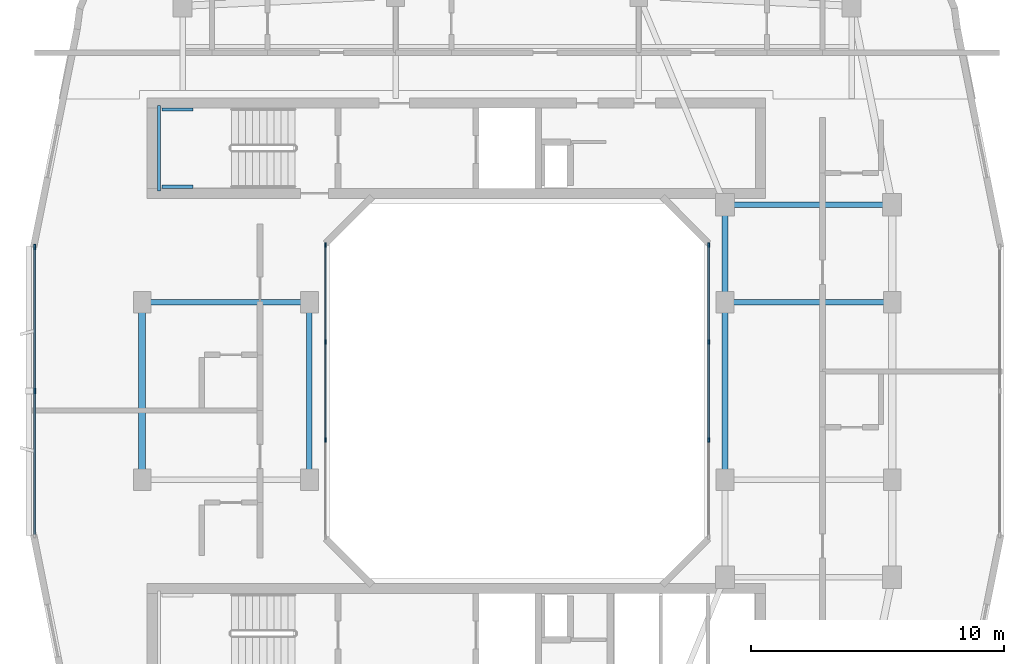
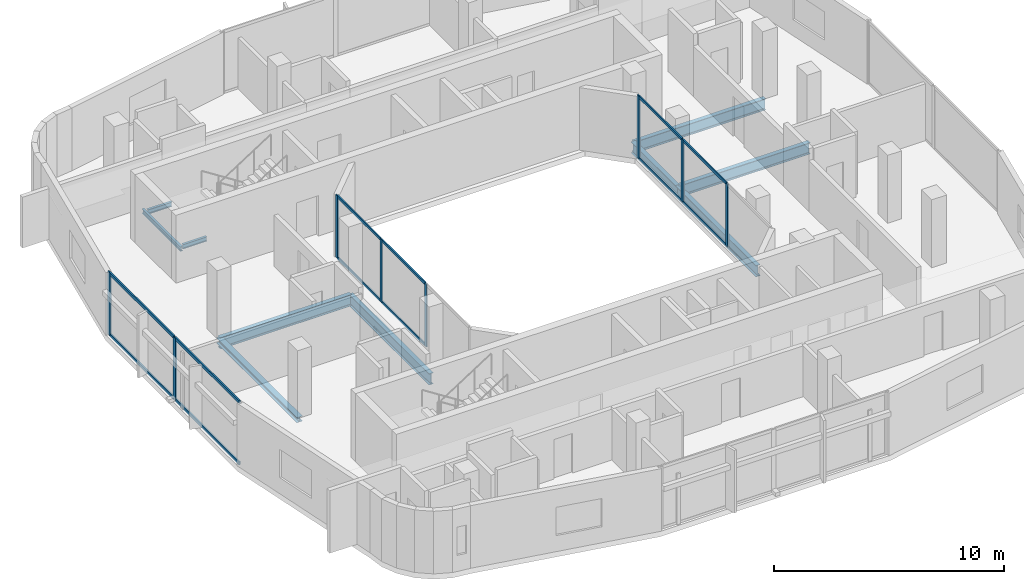
# One storey, part 3 of 14: 20 members, 10 beams, 3 elements without a shape of their own.
"""IFC4 building model written with IfcOpenShell, lengths in metres."""

from ifc_helpers import new_model, si_unit, derived_unit, direction, frame, origin, origin_2d, place, context, subcontext, project, spatial, rectangle, i_section, extrude, material, layer, layer_set, material_profile, profile_set, type_object, element, aggregate, save


model = new_model("IFC4")

# Units and contexts
model_context = context("Model", 3, precision=1e-05, world=origin(), true_north=direction((0.0, 1.0)))
body_context = subcontext(model_context, "Body", "Model", "MODEL_VIEW")
ifc_project = project(units=[si_unit("LENGTHUNIT", "METRE"), si_unit("AREAUNIT", "SQUARE_METRE"), si_unit("VOLUMEUNIT", "CUBIC_METRE"), si_unit("PLANEANGLEUNIT", "RADIAN"), si_unit("MASSUNIT", "GRAM", prefix="KILO"), derived_unit("THERMALTRANSMITTANCEUNIT", [(si_unit("POWERUNIT", "WATT"), 1), (si_unit("LENGTHUNIT", "METRE"), -2), (si_unit("THERMODYNAMICTEMPERATUREUNIT", "KELVIN"), -1)])], contexts=[model_context])

# Site, building, storey
site_placement = place(None, origin())
site = spatial("IfcSite", under=ifc_project, at=site_placement, CompositionType="ELEMENT")
building_placement = place(site_placement, origin())
building = spatial("IfcBuilding", under=site, at=building_placement, Name="Kivonza Crest Hotel", CompositionType="ELEMENT")
storey_placement = place(building_placement, frame((0.0, 0.0, 217.10009765625)))
storey = spatial("IfcBuildingStorey", under=building, at=storey_placement, Name="L59", CompositionType="ELEMENT", Elevation=217.10009765625)

# Beams
ifc_material_1 = material(Name="Steel S355", Category="steel")
ifc_material_profile_1 = material_profile(ifc_material_1, i_section(OverallWidth=0.280029296875, OverallDepth=0.280029296875, WebThickness=0.010498046875, FlangeThickness=0.01806640625, FilletRadius=0.02392578125, at=origin_2d()), Name="HEB 280")
ifc_profile_set_1 = profile_set([ifc_material_profile_1], Name="Steel S355")
beam_type_1 = type_object("IfcBeamType", Name="BM-HEB280", PredefinedType="SPANDREL", material=ifc_profile_set_1)
beam_1_placement = place(storey_placement, frame((6.199951171875, 28.5, -0.420166015625), z_axis=(0.0, -1.0, 0.0), x_axis=(1.0, 0.0, 0.0)))
element("IfcBeam", 1, at=beam_1_placement, inside=storey, type_object=beam_type_1, Name="Tower T1 L59 perimeter spandrel W2-W1", PredefinedType="SPANDREL", context=body_context, shape_type="SweptSolid", body=[
    extrude(i_section(OverallWidth=0.280029296875, OverallDepth=0.280029296875, WebThickness=0.010498046875, FlangeThickness=0.01806640625, FilletRadius=0.02392578125, at=origin_2d()), origin(), (0.0, 0.0, 1.0), 7.0),
])
ifc_material_profile_2 = material_profile(ifc_material_1, i_section(OverallWidth=0.219970703125, OverallDepth=0.60009765625, WebThickness=0.011962890625, FlangeThickness=0.01904296875, FilletRadius=0.02392578125, at=origin_2d()), Name="IPE 600")
ifc_profile_set_2 = profile_set([ifc_material_profile_2], Name="Steel S355")
beam_type_2 = type_object("IfcBeamType", Name="BM-IPE600", PredefinedType="BEAM", material=ifc_profile_set_2)
beam_2_placement = place(storey_placement, frame((6.199951171875, 28.5, -0.580078125), z_axis=(1.0, 0.0, 0.0), x_axis=(0.0, 1.0, 0.0)))
element("IfcBeam", 2, at=beam_2_placement, inside=storey, type_object=beam_type_2, Name="Tower T1 L59 primary girder W2-WL2", PredefinedType="BEAM", context=body_context, shape_type="SweptSolid", body=[
    extrude(i_section(OverallWidth=0.219970703125, OverallDepth=0.60009765625, WebThickness=0.011962890625, FlangeThickness=0.01904296875, FilletRadius=0.02392578125, at=origin_2d()), origin(), (0.0, 0.0, 1.0), 6.60009765625),
])
beam_3_placement = place(storey_placement, frame((12.800048828125, 21.5, -0.580078125), z_axis=(0.0, 1.0, 0.0), x_axis=(-1.0, 0.0, 0.0)))
element("IfcBeam", 3, at=beam_3_placement, inside=storey, type_object=beam_type_2, Name="Tower T1 L59 primary girder WL1-WL2", PredefinedType="BEAM", context=body_context, shape_type="SweptSolid", body=[
    extrude(i_section(OverallWidth=0.219970703125, OverallDepth=0.60009765625, WebThickness=0.011962890625, FlangeThickness=0.01904296875, FilletRadius=0.02392578125, at=origin_2d()), origin(), (0.0, 0.0, 1.0), 7.0),
])
beam_4_placement = place(storey_placement, frame((29.199951171875, 32.35009765625, -0.580078125), z_axis=(1.0, 0.0, 0.0), x_axis=(0.0, 1.0, 0.0)))
element("IfcBeam", 4, at=beam_4_placement, inside=storey, type_object=beam_type_2, Name="Tower T1 L59 primary girder TNE-PNE", PredefinedType="BEAM", context=body_context, shape_type="SweptSolid", body=[
    extrude(i_section(OverallWidth=0.219970703125, OverallDepth=0.60009765625, WebThickness=0.011962890625, FlangeThickness=0.01904296875, FilletRadius=0.02392578125, at=origin_2d()), origin(), (0.0, 0.0, 1.0), 6.60009765625),
])
beam_5_placement = place(storey_placement, frame((29.199951171875, 21.5, -0.580078125), z_axis=(0.0, 1.0, 0.0), x_axis=(-1.0, 0.0, 0.0)))
element("IfcBeam", 5, at=beam_5_placement, inside=storey, type_object=beam_type_2, Name="Tower T1 L59 primary girder WR1-WR2", PredefinedType="BEAM", context=body_context, shape_type="SweptSolid", body=[
    extrude(i_section(OverallWidth=0.219970703125, OverallDepth=0.60009765625, WebThickness=0.011962890625, FlangeThickness=0.01904296875, FilletRadius=0.02392578125, at=origin_2d()), origin(), (0.0, 0.0, 1.0), 7.0),
])
beam_6_placement = place(storey_placement, frame((29.199951171875, 28.5, -0.580078125), z_axis=(0.0, 1.0, 0.0), x_axis=(-1.0, 0.0, 0.0)))
element("IfcBeam", 6, at=beam_6_placement, inside=storey, type_object=beam_type_2, Name="Tower T1 L59 primary girder WR2-TNE", PredefinedType="BEAM", context=body_context, shape_type="SweptSolid", body=[
    extrude(i_section(OverallWidth=0.219970703125, OverallDepth=0.60009765625, WebThickness=0.011962890625, FlangeThickness=0.01904296875, FilletRadius=0.02392578125, at=origin_2d()), origin(), (0.0, 0.0, 1.0), 3.85009765625),
])
beam_7_placement = place(storey_placement, frame((29.199951171875, 28.5, -0.580078125), z_axis=(1.0, 0.0, 0.0), x_axis=(0.0, 1.0, 0.0)))
element("IfcBeam", 7, at=beam_7_placement, inside=storey, type_object=beam_type_2, Name="Tower T1 L59 primary girder WR2-E2", PredefinedType="BEAM", context=body_context, shape_type="SweptSolid", body=[
    extrude(i_section(OverallWidth=0.219970703125, OverallDepth=0.60009765625, WebThickness=0.011962890625, FlangeThickness=0.01904296875, FilletRadius=0.02392578125, at=origin_2d()), origin(), (0.0, 0.0, 1.0), 6.60009765625),
])
ifc_material_profile_3 = material_profile(ifc_material_1, i_section(OverallWidth=0.1201171875, OverallDepth=0.239990234375, WebThickness=0.006103515625, FlangeThickness=0.009765625, FilletRadius=0.014892578125, at=origin_2d()), Name="IPE 240")
ifc_profile_set_3 = profile_set([ifc_material_profile_3], Name="Steel S355")
beam_type_3 = type_object("IfcBeamType", Name="BM-LLDG-240", PredefinedType="BEAM", material=ifc_profile_set_3)
beam_8_placement = place(storey_placement, frame((6.860107421875, 32.89990234375, 1.47998046875), z_axis=(0.0, 1.0, 0.0), x_axis=(-1.0, 0.0, 0.0)))
element("IfcBeam", 8, at=beam_8_placement, inside=storey, type_object=beam_type_3, Name="Stair ST-T1-N L59 West landing corbel", PredefinedType="BEAM", context=body_context, shape_type="SweptSolid", body=[
    extrude(i_section(OverallWidth=0.1201171875, OverallDepth=0.239990234375, WebThickness=0.006103515625, FlangeThickness=0.009765625, FilletRadius=0.014892578125, at=origin_2d()), origin(), (0.0, 0.0, 1.0), 3.360107421875),
])
for number, where, z_axis, x_axis, name in (
    (9, (6.989990234375, 33.06005859375, 1.47998046875), (1.0, 0.0, 0.0), (0.0, 1.0, 0.0), "Stair ST-T1-N L59 South landing corbel"),
    (10, (6.989990234375, 36.10009765625, 1.47998046875), (1.0, 0.0, 0.0), (0.0, 1.0, 0.0), "Stair ST-T1-N L59 North landing corbel"),
):
    element("IfcBeam", number, at=place(storey_placement, frame(where, z_axis=z_axis, x_axis=x_axis)), inside=storey, type_object=beam_type_3, Name=name, PredefinedType="BEAM", context=body_context, shape_type="SweptSolid", body=[
        extrude(i_section(OverallWidth=0.1201171875, OverallDepth=0.239990234375, WebThickness=0.006103515625, FlangeThickness=0.009765625, FilletRadius=0.014892578125, at=origin_2d()), origin(), (0.0, 0.0, 1.0), 1.2099609375),
    ])

# Curtain wall, members
ifc_material_2 = material(Name="Anodised bronze aluminium and low-E double glazing", Category="aluminium")
ifc_layer_1 = layer(ifc_material_2, 0.159912109375)
ifc_layer_set_1 = layer_set([ifc_layer_1], Name="Anodised bronze aluminium and low-E double glazing")
curtain_wall_type_1 = type_object("IfcCurtainWallType", Name="CW-SYS-5", PredefinedType="NOTDEFINED", material=ifc_layer_set_1)
curtain_wall_1_placement = place(storey_placement, origin())
curtain_wall_1 = element("IfcCurtainWall", 11, at=curtain_wall_1_placement, inside=storey, type_object=curtain_wall_type_1, Name="L59 unitised curtain wall CW-WELL-T1-L59-3", PredefinedType="NOTDEFINED")
ifc_material_3 = material(Name="Anodised bronze aluminium", Category="aluminium")
ifc_material_profile_4 = material_profile(ifc_material_3, rectangle(XDim=0.06494140625, YDim=0.179931640625, at=origin_2d()), Name="CW-M 65x180")
ifc_profile_set_4 = profile_set([ifc_material_profile_4], Name="Anodised bronze aluminium")
member_type_1 = type_object("IfcMemberType", Name="CW-MUL-65x180", PredefinedType="MULLION", material=ifc_profile_set_4)
member_1_placement = place(storey_placement, frame((28.56005859375, 23.066650390625, 0.0), z_axis=(0.0, 0.0, 1.0), x_axis=(-1.0, 0.0, 0.0)))
member_1 = element("IfcMember", 12, at=member_1_placement, type_object=member_type_1, Name="CW-5 mullion 2", PredefinedType="MULLION", context=body_context, shape_type="SweptSolid", body=[
    extrude(rectangle(XDim=0.06494140625, YDim=0.179931640625, at=origin_2d()), origin(), (0.0, 0.0, 1.0), 3.31982421875),
])
member_2_placement = place(storey_placement, frame((28.56005859375, 26.933349609375, 0.0), z_axis=(0.0, 0.0, 1.0), x_axis=(-1.0, 0.0, 0.0)))
member_2 = element("IfcMember", 13, at=member_2_placement, type_object=member_type_1, Name="CW-5 mullion 3", PredefinedType="MULLION", context=body_context, shape_type="SweptSolid", body=[
    extrude(rectangle(XDim=0.06494140625, YDim=0.179931640625, at=origin_2d()), origin(), (0.0, 0.0, 1.0), 3.31982421875),
])
member_3_placement = place(storey_placement, frame((28.56005859375, 30.767578125, 0.0), z_axis=(0.0, 0.0, 1.0), x_axis=(-1.0, 0.0, 0.0)))
member_3 = element("IfcMember", 14, at=member_3_placement, type_object=member_type_1, Name="CW-5 mullion 4", PredefinedType="MULLION", context=body_context, shape_type="SweptSolid", body=[
    extrude(rectangle(XDim=0.06494140625, YDim=0.179931640625, at=origin_2d()), origin(), (0.0, 0.0, 1.0), 3.31982421875),
])

curtain_wall_2_placement = place(storey_placement, origin())
curtain_wall_2 = element("IfcCurtainWall", 15, at=curtain_wall_2_placement, inside=storey, type_object=curtain_wall_type_1, Name="L59 unitised curtain wall CW-WELL-T1-L59-7", PredefinedType="NOTDEFINED")
member_4_placement = place(storey_placement, frame((13.43994140625, 30.767578125, 0.0), z_axis=(0.0, 0.0, 1.0), x_axis=(1.0, 0.0, 0.0)))
member_4 = element("IfcMember", 16, at=member_4_placement, type_object=member_type_1, Name="CW-5 mullion 1", PredefinedType="MULLION", context=body_context, shape_type="SweptSolid", body=[
    extrude(rectangle(XDim=0.06494140625, YDim=0.179931640625, at=origin_2d()), origin(), (0.0, 0.0, 1.0), 3.31982421875),
])
member_5_placement = place(storey_placement, frame((13.43994140625, 26.933349609375, 0.0), z_axis=(0.0, 0.0, 1.0), x_axis=(1.0, 0.0, 0.0)))
member_5 = element("IfcMember", 17, at=member_5_placement, type_object=member_type_1, Name="CW-5 mullion 2", PredefinedType="MULLION", context=body_context, shape_type="SweptSolid", body=[
    extrude(rectangle(XDim=0.06494140625, YDim=0.179931640625, at=origin_2d()), origin(), (0.0, 0.0, 1.0), 3.31982421875),
])
member_6_placement = place(storey_placement, frame((13.43994140625, 23.066650390625, 0.0), z_axis=(0.0, 0.0, 1.0), x_axis=(1.0, 0.0, 0.0)))
member_6 = element("IfcMember", 18, at=member_6_placement, type_object=member_type_1, Name="CW-5 mullion 3", PredefinedType="MULLION", context=body_context, shape_type="SweptSolid", body=[
    extrude(rectangle(XDim=0.06494140625, YDim=0.179931640625, at=origin_2d()), origin(), (0.0, 0.0, 1.0), 3.31982421875),
])

ifc_layer_2 = layer(ifc_material_2, 0.179931640625)
ifc_layer_set_2 = layer_set([ifc_layer_2], Name="Anodised bronze aluminium and low-E double glazing")
curtain_wall_type_2 = type_object("IfcCurtainWallType", Name="CW-SYS-3", PredefinedType="NOTDEFINED", material=ifc_layer_set_2)
curtain_wall_3_placement = place(storey_placement, origin())
curtain_wall_3 = element("IfcCurtainWall", 19, at=curtain_wall_3_placement, inside=storey, type_object=curtain_wall_type_2, Name="L59 unitised curtain wall CW-T1-L59-35", PredefinedType="NOTDEFINED")
ifc_material_profile_5 = material_profile(ifc_material_3, rectangle(XDim=0.074951171875, YDim=0.219970703125, at=origin_2d()), Name="CW-M 75x220")
ifc_profile_set_5 = profile_set([ifc_material_profile_5], Name="Anodised bronze aluminium")
member_type_2 = type_object("IfcMemberType", Name="CW-MUL-75x220", PredefinedType="MULLION", material=ifc_profile_set_5)
member_7_placement = place(storey_placement, frame((1.9599609375, 30.6826171875, 0.0), z_axis=(0.0, 0.0, 1.0), x_axis=(1.0, 0.0, 0.0)))
member_7 = element("IfcMember", 20, at=member_7_placement, type_object=member_type_2, Name="CW-3 mullion 1", PredefinedType="MULLION", context=body_context, shape_type="SweptSolid", body=[
    extrude(rectangle(XDim=0.074951171875, YDim=0.219970703125, at=origin_2d()), origin(), (0.0, 0.0, 1.0), 3.31982421875),
])
member_8_placement = place(storey_placement, frame((1.9599609375, 25.0, 0.0), z_axis=(0.0, 0.0, 1.0), x_axis=(1.0, 0.0, 0.0)))
member_8 = element("IfcMember", 21, at=member_8_placement, type_object=member_type_2, Name="CW-3 mullion 2", PredefinedType="MULLION", context=body_context, shape_type="SweptSolid", body=[
    extrude(rectangle(XDim=0.074951171875, YDim=0.219970703125, at=origin_2d()), origin(), (0.0, 0.0, 1.0), 3.31982421875),
])

# Member
ifc_material_profile_6 = material_profile(ifc_material_3, rectangle(XDim=0.06494140625, YDim=0.139892578125, at=origin_2d()), Name="CW-T 65x140")
ifc_profile_set_6 = profile_set([ifc_material_profile_6], Name="Anodised bronze aluminium")
member_type_3 = type_object("IfcMemberType", Name="CW-TRN-65x140", PredefinedType="USERDEFINED", material=ifc_profile_set_6)
member_9_placement = place(storey_placement, frame((28.56005859375, 23.09912109375, 0.032470703125), z_axis=(0.0, 1.0, 0.0), x_axis=(-1.0, 0.0, 0.0)))
member_9 = element("IfcMember", 22, at=member_9_placement, type_object=member_type_3, Name="CW-5 transom 2.1", ObjectType="TRANSOM", PredefinedType="USERDEFINED", context=body_context, shape_type="SweptSolid", body=[
    extrude(rectangle(XDim=0.06494140625, YDim=0.139892578125, at=origin_2d()), origin(), (0.0, 0.0, 1.0), 3.8017578125),
])

member_10_placement = place(storey_placement, frame((28.56005859375, 23.09912109375, 3.287353515625), z_axis=(0.0, 1.0, 0.0), x_axis=(-1.0, 0.0, 0.0)))
member_10 = element("IfcMember", 23, at=member_10_placement, type_object=member_type_3, Name="CW-5 transom 2.2", ObjectType="TRANSOM", PredefinedType="USERDEFINED", context=body_context, shape_type="SweptSolid", body=[
    extrude(rectangle(XDim=0.06494140625, YDim=0.139892578125, at=origin_2d()), origin(), (0.0, 0.0, 1.0), 3.8017578125),
])

member_11_placement = place(storey_placement, frame((28.56005859375, 26.9658203125, 0.032470703125), z_axis=(0.0, 1.0, 0.0), x_axis=(-1.0, 0.0, 0.0)))
member_11 = element("IfcMember", 24, at=member_11_placement, type_object=member_type_3, Name="CW-5 transom 3.1", ObjectType="TRANSOM", PredefinedType="USERDEFINED", context=body_context, shape_type="SweptSolid", body=[
    extrude(rectangle(XDim=0.06494140625, YDim=0.139892578125, at=origin_2d()), origin(), (0.0, 0.0, 1.0), 3.769287109375),
])

member_12_placement = place(storey_placement, frame((28.56005859375, 26.9658203125, 3.287353515625), z_axis=(0.0, 1.0, 0.0), x_axis=(-1.0, 0.0, 0.0)))
member_12 = element("IfcMember", 25, at=member_12_placement, type_object=member_type_3, Name="CW-5 transom 3.2", ObjectType="TRANSOM", PredefinedType="USERDEFINED", context=body_context, shape_type="SweptSolid", body=[
    extrude(rectangle(XDim=0.06494140625, YDim=0.139892578125, at=origin_2d()), origin(), (0.0, 0.0, 1.0), 3.769287109375),
])

aggregate(curtain_wall_1, [member_1, member_2, member_3, member_9, member_10, member_11, member_12])

member_13_placement = place(storey_placement, frame((13.43994140625, 30.735107421875, 0.032470703125), z_axis=(0.0, -1.0, 0.0), x_axis=(1.0, 0.0, 0.0)))
member_13 = element("IfcMember", 26, at=member_13_placement, type_object=member_type_3, Name="CW-5 transom 1.1", ObjectType="TRANSOM", PredefinedType="USERDEFINED", context=body_context, shape_type="SweptSolid", body=[
    extrude(rectangle(XDim=0.06494140625, YDim=0.139892578125, at=origin_2d()), origin(), (0.0, 0.0, 1.0), 3.769287109375),
])

member_14_placement = place(storey_placement, frame((13.43994140625, 30.735107421875, 3.287353515625), z_axis=(0.0, -1.0, 0.0), x_axis=(1.0, 0.0, 0.0)))
member_14 = element("IfcMember", 27, at=member_14_placement, type_object=member_type_3, Name="CW-5 transom 1.2", ObjectType="TRANSOM", PredefinedType="USERDEFINED", context=body_context, shape_type="SweptSolid", body=[
    extrude(rectangle(XDim=0.06494140625, YDim=0.139892578125, at=origin_2d()), origin(), (0.0, 0.0, 1.0), 3.769287109375),
])

member_15_placement = place(storey_placement, frame((13.43994140625, 26.90087890625, 0.032470703125), z_axis=(0.0, -1.0, 0.0), x_axis=(1.0, 0.0, 0.0)))
member_15 = element("IfcMember", 28, at=member_15_placement, type_object=member_type_3, Name="CW-5 transom 2.1", ObjectType="TRANSOM", PredefinedType="USERDEFINED", context=body_context, shape_type="SweptSolid", body=[
    extrude(rectangle(XDim=0.06494140625, YDim=0.139892578125, at=origin_2d()), origin(), (0.0, 0.0, 1.0), 3.8017578125),
])

member_16_placement = place(storey_placement, frame((13.43994140625, 26.90087890625, 3.287353515625), z_axis=(0.0, -1.0, 0.0), x_axis=(1.0, 0.0, 0.0)))
member_16 = element("IfcMember", 29, at=member_16_placement, type_object=member_type_3, Name="CW-5 transom 2.2", ObjectType="TRANSOM", PredefinedType="USERDEFINED", context=body_context, shape_type="SweptSolid", body=[
    extrude(rectangle(XDim=0.06494140625, YDim=0.139892578125, at=origin_2d()), origin(), (0.0, 0.0, 1.0), 3.8017578125),
])

aggregate(curtain_wall_2, [member_4, member_5, member_6, member_13, member_14, member_15, member_16])

ifc_material_profile_7 = material_profile(ifc_material_3, rectangle(XDim=0.074951171875, YDim=0.159912109375, at=origin_2d()), Name="CW-T 75x160")
ifc_profile_set_7 = profile_set([ifc_material_profile_7], Name="Anodised bronze aluminium")
member_type_4 = type_object("IfcMemberType", Name="CW-TRN-75x160", PredefinedType="USERDEFINED", material=ifc_profile_set_7)
member_17_placement = place(storey_placement, frame((1.9599609375, 30.64501953125, 0.037353515625), z_axis=(0.0, -1.0, 0.0), x_axis=(1.0, 0.0, 0.0)))
member_17 = element("IfcMember", 30, at=member_17_placement, type_object=member_type_4, Name="CW-3 transom 1.1", ObjectType="TRANSOM", PredefinedType="USERDEFINED", context=body_context, shape_type="SweptSolid", body=[
    extrude(rectangle(XDim=0.074951171875, YDim=0.159912109375, at=origin_2d()), origin(), (0.0, 0.0, 1.0), 5.607421875),
])

member_18_placement = place(storey_placement, frame((1.9599609375, 30.64501953125, 3.282470703125), z_axis=(0.0, -1.0, 0.0), x_axis=(1.0, 0.0, 0.0)))
member_18 = element("IfcMember", 31, at=member_18_placement, type_object=member_type_4, Name="CW-3 transom 1.2", ObjectType="TRANSOM", PredefinedType="USERDEFINED", context=body_context, shape_type="SweptSolid", body=[
    extrude(rectangle(XDim=0.074951171875, YDim=0.159912109375, at=origin_2d()), origin(), (0.0, 0.0, 1.0), 5.607421875),
])

member_19_placement = place(storey_placement, frame((1.9599609375, 24.96240234375, 0.037353515625), z_axis=(0.0, -1.0, 0.0), x_axis=(1.0, 0.0, 0.0)))
member_19 = element("IfcMember", 32, at=member_19_placement, type_object=member_type_4, Name="CW-3 transom 2.1", ObjectType="TRANSOM", PredefinedType="USERDEFINED", context=body_context, shape_type="SweptSolid", body=[
    extrude(rectangle(XDim=0.074951171875, YDim=0.159912109375, at=origin_2d()), origin(), (0.0, 0.0, 1.0), 5.607421875),
])

member_20_placement = place(storey_placement, frame((1.9599609375, 24.96240234375, 3.282470703125), z_axis=(0.0, -1.0, 0.0), x_axis=(1.0, 0.0, 0.0)))
member_20 = element("IfcMember", 33, at=member_20_placement, type_object=member_type_4, Name="CW-3 transom 2.2", ObjectType="TRANSOM", PredefinedType="USERDEFINED", context=body_context, shape_type="SweptSolid", body=[
    extrude(rectangle(XDim=0.074951171875, YDim=0.159912109375, at=origin_2d()), origin(), (0.0, 0.0, 1.0), 5.607421875),
])

aggregate(curtain_wall_3, [member_7, member_8, member_17, member_18, member_19, member_20])

save(model, "model.ifc")
